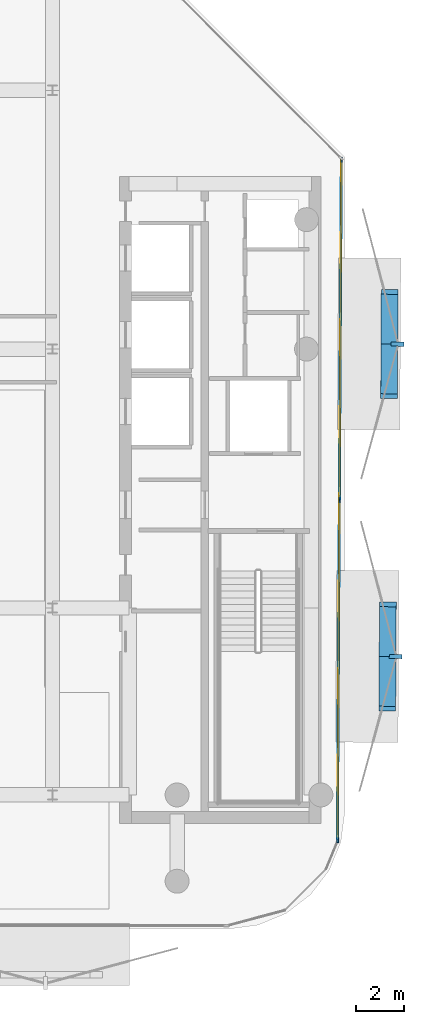
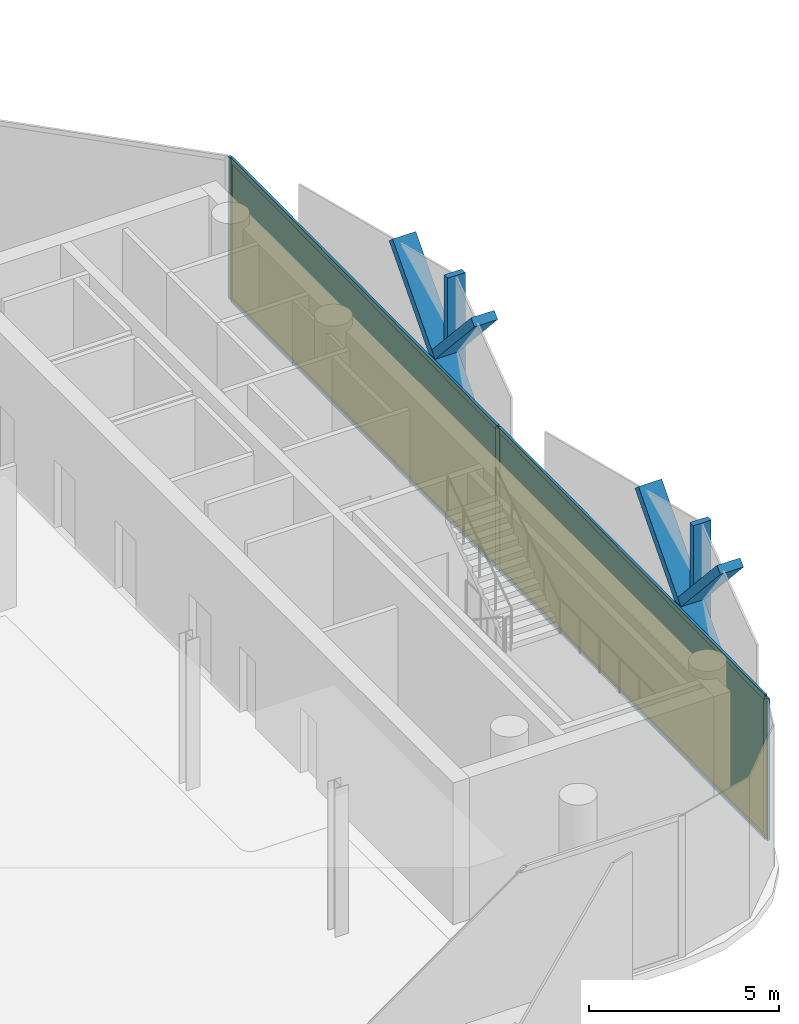
# One storey, part 9 of 15: 13 members, 2 plates, 1 curtain wall.
"""IFC4 building model written with IfcOpenShell, lengths in metres."""

from ifc_helpers import new_model, si_unit, direction, frame, frame_2d, origin, origin_2d, place, context, subcontext, project, spatial, rectangle, extrude, material, layer, layer_set, material_profile, profile_set, type_object, element, aggregate, save


model = new_model("IFC4")

# Units and contexts
model_context = context("Model", 3, precision=1e-05, world=origin(), true_north=direction((0.0, 1.0)))
body_context = subcontext(model_context, "Body", "Model", "MODEL_VIEW")
ifc_project = project(units=[si_unit("LENGTHUNIT", "METRE"), si_unit("AREAUNIT", "SQUARE_METRE"), si_unit("VOLUMEUNIT", "CUBIC_METRE"), si_unit("PLANEANGLEUNIT", "RADIAN"), si_unit("MASSUNIT", "GRAM", prefix="KILO")], contexts=[model_context])

# Member
ifc_material_1 = material(Name="Anodised Bronze Aluminium 6063-T6", Category="aluminium")
ifc_material_profile_1 = material_profile(ifc_material_1, rectangle(XDim=0.260009765625, YDim=0.699951171875, at=origin_2d()))
ifc_profile_set_1 = profile_set([ifc_material_profile_1], Name="Anodised Bronze Aluminium 6063-T6")
member_type_1 = type_object("IfcMemberType", Name="Bronze Diamond Solar-Screen Lattice Rib BDL-700", PredefinedType="MULLION", material=ifc_profile_set_1)
site_placement = place(None, origin())
building_placement = place(site_placement, origin())
storey_placement = place(building_placement, frame((0.0, 0.0, 315.60009765625)))
member_1_placement = place(storey_placement, frame((23.26806640625, 2.384765625, -0.130126953125), z_axis=(-0.003845894317, -0.671146263151, 0.741314982012), x_axis=(-0.010007304655, -0.741257511947, -0.671146150131)))
member_1 = element("IfcMember", 1, at=member_1_placement, type_object=member_type_1, Name="L76 Bronze Diamond Solar Screen Lattice Rib 540A", PredefinedType="MULLION", context=body_context, shape_type="SweptSolid", body=[
    extrude(rectangle(XDim=0.260009765625, YDim=0.699951171875, at=origin_2d()), origin(), (0.0, 0.0, 1.0), 6.47509765625),
])

member_2_placement = place(storey_placement, frame((23.2431640625, -1.9609375, -0.130126953125), z_axis=(0.003845894317, 0.671146263151, 0.741314982012), x_axis=(0.010007304655, 0.741257511947, -0.671146150131)))
member_2 = element("IfcMember", 2, at=member_2_placement, type_object=member_type_1, Name="L76 Bronze Diamond Solar Screen Lattice Rib 540B", PredefinedType="MULLION", context=body_context, shape_type="SweptSolid", body=[
    extrude(rectangle(XDim=0.260009765625, YDim=0.699951171875, at=origin_2d()), origin(), (0.0, 0.0, 1.0), 6.47509765625),
])

member_3_placement = place(storey_placement, frame((23.193359375, -10.652099609375, -0.130126953125), z_axis=(-0.003845894317, -0.671146263151, 0.741314982012), x_axis=(-0.010007304655, -0.741257511947, -0.671146150131)))
member_3 = element("IfcMember", 3, at=member_3_placement, type_object=member_type_1, Name="L76 Bronze Diamond Solar Screen Lattice Rib 541A", PredefinedType="MULLION", context=body_context, shape_type="SweptSolid", body=[
    extrude(rectangle(XDim=0.260009765625, YDim=0.699951171875, at=origin_2d()), origin(), (0.0, 0.0, 1.0), 6.47509765625),
])

member_4_placement = place(storey_placement, frame((23.16845703125, -14.997802734375, -0.130126953125), z_axis=(0.003845894317, 0.671146263151, 0.741314982012), x_axis=(0.010007304655, 0.741257511947, -0.671146150131)))
member_4 = element("IfcMember", 4, at=member_4_placement, type_object=member_type_1, Name="L76 Bronze Diamond Solar Screen Lattice Rib 541B", PredefinedType="MULLION", context=body_context, shape_type="SweptSolid", body=[
    extrude(rectangle(XDim=0.260009765625, YDim=0.699951171875, at=origin_2d()), origin(), (0.0, 0.0, 1.0), 6.47509765625),
])

ifc_material_2 = material(Name="Anodised Bronze Aluminium 6063-T6", Category="aluminium")
ifc_material_profile_2 = material_profile(ifc_material_2, rectangle(XDim=0.179931640625, YDim=0.5400390625, at=origin_2d()))
ifc_profile_set_2 = profile_set([ifc_material_profile_2], Name="Anodised Bronze Aluminium 6063-T6")
member_type_2 = type_object("IfcMemberType", Name="Bronze Solar-Screen Vertical Fold Fin BSF-540", PredefinedType="MULLION", material=ifc_profile_set_2)
member_5_placement = place(storey_placement, frame((23.595703125, 0.2099609375, -0.130126953125), z_axis=(0.0, 0.0, 1.0), x_axis=(-0.005759554688, -0.999983413627, 0.0)))
member_5 = element("IfcMember", 5, at=member_5_placement, type_object=member_type_2, Name="L76 Bronze Solar Screen Vertical Fin 540", PredefinedType="MULLION", context=body_context, shape_type="SweptSolid", body=[
    extrude(rectangle(XDim=0.179931640625, YDim=0.5400390625, at=origin_2d()), origin(), (0.0, 0.0, 1.0), 4.800048828125),
])

member_6_placement = place(storey_placement, frame((23.52099609375, -12.826904296875, -0.130126953125), z_axis=(0.0, 0.0, 1.0), x_axis=(-0.005759554688, -0.999983413627, 0.0)))
member_6 = element("IfcMember", 6, at=member_6_placement, type_object=member_type_2, Name="L76 Bronze Solar Screen Vertical Fin 541", PredefinedType="MULLION", context=body_context, shape_type="SweptSolid", body=[
    extrude(rectangle(XDim=0.179931640625, YDim=0.5400390625, at=origin_2d()), origin(), (0.0, 0.0, 1.0), 4.800048828125),
])

ifc_material_3 = material(Name="Anodised Bronze Aluminium 6063-T6", Category="aluminium")
ifc_material_profile_3 = material_profile(ifc_material_3, rectangle(XDim=0.074951171875, YDim=0.2099609375, at=origin_2d()))
ifc_profile_set_3 = profile_set([ifc_material_profile_3], Name="Anodised Bronze Aluminium 6063-T6")
member_type_3 = type_object("IfcMemberType", Name="CW-CRN Mullion 75x210", PredefinedType="MULLION", material=ifc_profile_set_3)
member_7_placement = place(storey_placement, frame((21.259765625, 7.904541015625, 0.0), z_axis=(0.0, 0.0, 1.0), x_axis=(0.999983534475, -0.005738534499, 0.0)))
member_7 = element("IfcMember", 7, at=member_7_placement, type_object=member_type_3, Name="CW-CRN mullion 1", PredefinedType="MULLION", context=body_context, shape_type="SweptSolid", body=[
    extrude(rectangle(XDim=0.074951171875, YDim=0.2099609375, at=origin_2d()), origin(), (0.0, 0.0, 1.0), 4.539794921875),
])

member_8_placement = place(storey_placement, frame((21.17822265625, -6.294921875, 0.0), z_axis=(0.0, 0.0, 1.0), x_axis=(0.999983534475, -0.005738534499, 0.0)))
member_8 = element("IfcMember", 8, at=member_8_placement, type_object=member_type_3, Name="CW-CRN mullion 2", PredefinedType="MULLION", context=body_context, shape_type="SweptSolid", body=[
    extrude(rectangle(XDim=0.074951171875, YDim=0.2099609375, at=origin_2d()), origin(), (0.0, 0.0, 1.0), 4.539794921875),
])

member_9_placement = place(storey_placement, frame((21.096923828125, -20.494140625, 0.0), z_axis=(0.0, 0.0, 1.0), x_axis=(0.999983534475, -0.005738534499, 0.0)))
member_9 = element("IfcMember", 9, at=member_9_placement, type_object=member_type_3, Name="CW-CRN mullion 3", PredefinedType="MULLION", context=body_context, shape_type="SweptSolid", body=[
    extrude(rectangle(XDim=0.074951171875, YDim=0.2099609375, at=origin_2d()), origin(), (0.0, 0.0, 1.0), 4.539794921875),
])

ifc_material_4 = material(Name="Anodised Bronze Aluminium 6063-T6", Category="aluminium")
ifc_material_profile_4 = material_profile(ifc_material_4, rectangle(XDim=0.074951171875, YDim=0.1650390625, at=origin_2d()))
ifc_profile_set_4 = profile_set([ifc_material_profile_4], Name="Anodised Bronze Aluminium 6063-T6")
member_type_4 = type_object("IfcMemberType", Name="CW-CRN Transom 75x165", PredefinedType="USERDEFINED", material=ifc_profile_set_4)
member_10_placement = place(storey_placement, frame((21.259521484375, 7.866943359375, 0.037353515625), z_axis=(-0.005738588031, -0.999983534168, 0.0), x_axis=(0.999983534168, -0.005738588031, 0.0)))
member_10 = element("IfcMember", 10, at=member_10_placement, type_object=member_type_4, Name="CW-CRN transom 1.1", ObjectType="TRANSOM", PredefinedType="USERDEFINED", context=body_context, shape_type="SweptSolid", body=[
    extrude(rectangle(XDim=0.074951171875, YDim=0.1650390625, at=origin_2d()), origin(), (0.0, 0.0, 1.0), 14.12451171875),
])

member_11_placement = place(storey_placement, frame((21.259521484375, 7.866943359375, 4.50244140625), z_axis=(-0.005738588031, -0.999983534168, 0.0), x_axis=(0.999983534168, -0.005738588031, 0.0)))
member_11 = element("IfcMember", 11, at=member_11_placement, type_object=member_type_4, Name="CW-CRN transom 1.2", ObjectType="TRANSOM", PredefinedType="USERDEFINED", context=body_context, shape_type="SweptSolid", body=[
    extrude(rectangle(XDim=0.074951171875, YDim=0.1650390625, at=origin_2d()), origin(), (0.0, 0.0, 1.0), 14.12451171875),
])

member_12_placement = place(storey_placement, frame((21.177978515625, -6.332275390625, 0.037353515625), z_axis=(-0.005738488843, -0.999983534737, 0.0), x_axis=(0.999983534737, -0.005738488843, 0.0)))
member_12 = element("IfcMember", 12, at=member_12_placement, type_object=member_type_4, Name="CW-CRN transom 2.1", ObjectType="TRANSOM", PredefinedType="USERDEFINED", context=body_context, shape_type="SweptSolid", body=[
    extrude(rectangle(XDim=0.074951171875, YDim=0.1650390625, at=origin_2d()), origin(), (0.0, 0.0, 1.0), 14.124755859375),
])

member_13_placement = place(storey_placement, frame((21.177978515625, -6.332275390625, 4.50244140625), z_axis=(-0.005738488843, -0.999983534737, 0.0), x_axis=(0.999983534737, -0.005738488843, 0.0)))
member_13 = element("IfcMember", 13, at=member_13_placement, type_object=member_type_4, Name="CW-CRN transom 2.2", ObjectType="TRANSOM", PredefinedType="USERDEFINED", context=body_context, shape_type="SweptSolid", body=[
    extrude(rectangle(XDim=0.074951171875, YDim=0.1650390625, at=origin_2d()), origin(), (0.0, 0.0, 1.0), 14.124755859375),
])

# Plate
ifc_material_5 = material(Name="Low-E Solar Control Laminated Glass", Category="glass")
ifc_layer_1 = layer(ifc_material_5, 0.035888671875, Name="Low-E Solar Control Laminated Glass")
ifc_layer_set_1 = layer_set([ifc_layer_1], Name="Low-E Solar Control Laminated Glass")
plate_type = type_object("IfcPlateType", Name="CW-CRN Low-E Double Glazed Panel 36mm", PredefinedType="CURTAIN_PANEL", material=ifc_layer_set_1)
plate_1_placement = place(storey_placement, frame((21.218994140625, 0.804931640625, 0.0751953125), z_axis=(0.0, 0.0, 1.0), x_axis=(-0.005738534499, -0.999983534475, 0.0)))
plate_1 = element("IfcPlate", 14, at=plate_1_placement, type_object=plate_type, Name="CW-CRN panel 1.1", PredefinedType="CURTAIN_PANEL", context=body_context, shape_type="SweptSolid", body=[
    extrude(rectangle(XDim=14.12451171875, YDim=0.035888671875, at=origin_2d()), origin(), (0.0, 0.0, 1.0), 4.389892578125),
])

plate_2_placement = place(storey_placement, frame((21.137451171875, -13.39453125, 0.0751953125), z_axis=(0.0, 0.0, 1.0), x_axis=(-0.005738534499, -0.999983534475, 0.0)))
plate_2 = element("IfcPlate", 15, at=plate_2_placement, type_object=plate_type, Name="CW-CRN panel 2.1", PredefinedType="CURTAIN_PANEL", context=body_context, shape_type="SweptSolid", body=[
    extrude(rectangle(XDim=14.12451171875, YDim=0.035888671875, at=origin_2d()), origin(), (0.0, 0.0, 1.0), 4.389892578125),
])

# Site, building, storey
site = spatial("IfcSite", under=ifc_project, at=site_placement, CompositionType="ELEMENT")
building = spatial("IfcBuilding", under=site, at=building_placement, Name="Khairoan Windgate Tower", CompositionType="ELEMENT")
storey = spatial("IfcBuildingStorey", under=building, at=storey_placement, Name="L76", CompositionType="ELEMENT", Elevation=315.60009765625)

# Curtain wall
ifc_material_6 = material(Name="Anodised Bronze Aluminium 6063-T6", Category="aluminium")
ifc_layer_2 = layer(ifc_material_6, 0.2099609375, Name="Anodised Bronze Aluminium 6063-T6")
ifc_layer_set_2 = layer_set([ifc_layer_2], Name="Anodised Bronze Aluminium 6063-T6")
curtain_wall_type = type_object("IfcCurtainWallType", Name="Crown Observation and Vitrine Curtain Wall CW-CRN", PredefinedType="NOTDEFINED", material=ifc_layer_set_2)
curtain_wall_placement = place(storey_placement, frame((21.260009765625, 7.94189453125, 0.0), z_axis=(0.0, 0.0, 1.0), x_axis=(-0.005736092482, -0.999983548486, 0.0)))
curtain_wall = element("IfcCurtainWall", 16, at=curtain_wall_placement, inside=storey, type_object=curtain_wall_type, Name="L76 Unitised Curtain Wall 9", PredefinedType="NOTDEFINED", context=body_context, shape_type="SweptSolid", body=[
    extrude(rectangle(XDim=28.47412109375, YDim=0.010009765625, at=frame_2d((14.237060546875, 0.0))), origin(), (0.0, 0.0, 1.0), 4.539794921875),
])

aggregate(curtain_wall, [member_7, member_8, member_9, member_10, member_11, plate_1, member_12, member_13, plate_2, member_1, member_2, member_5, member_3, member_4, member_6])

save(model, "model.ifc")
